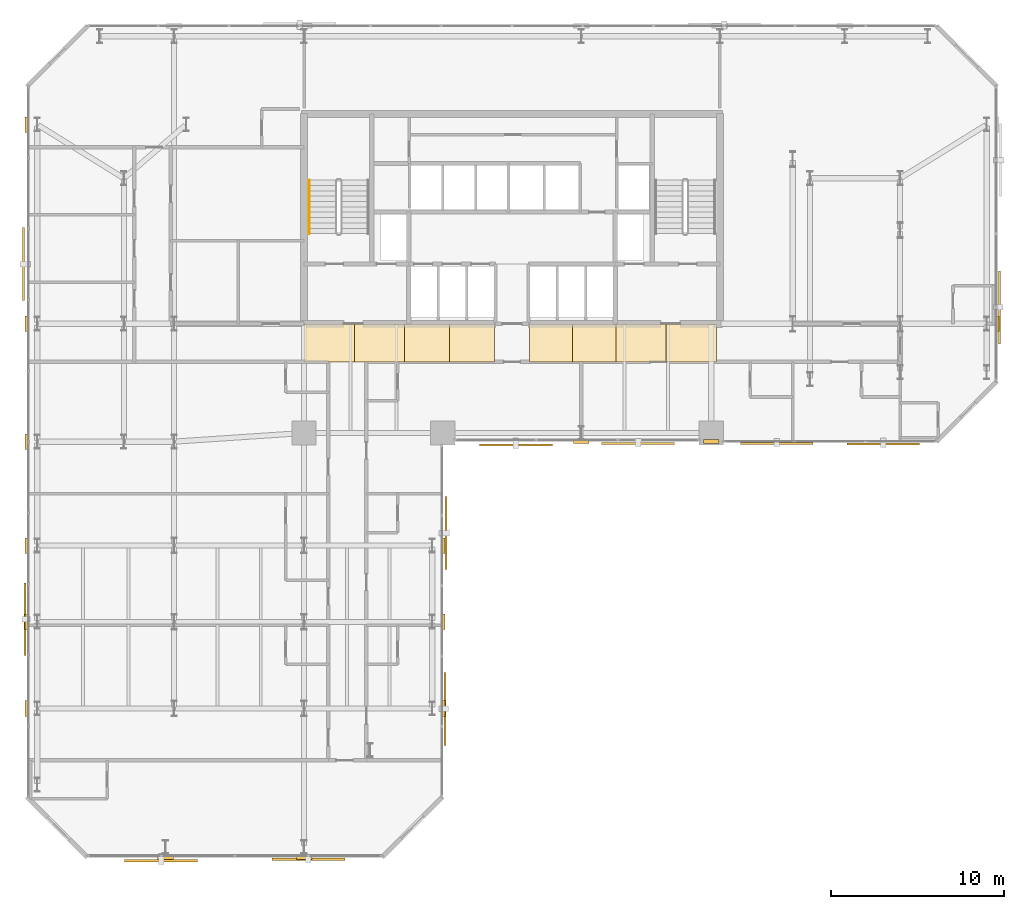
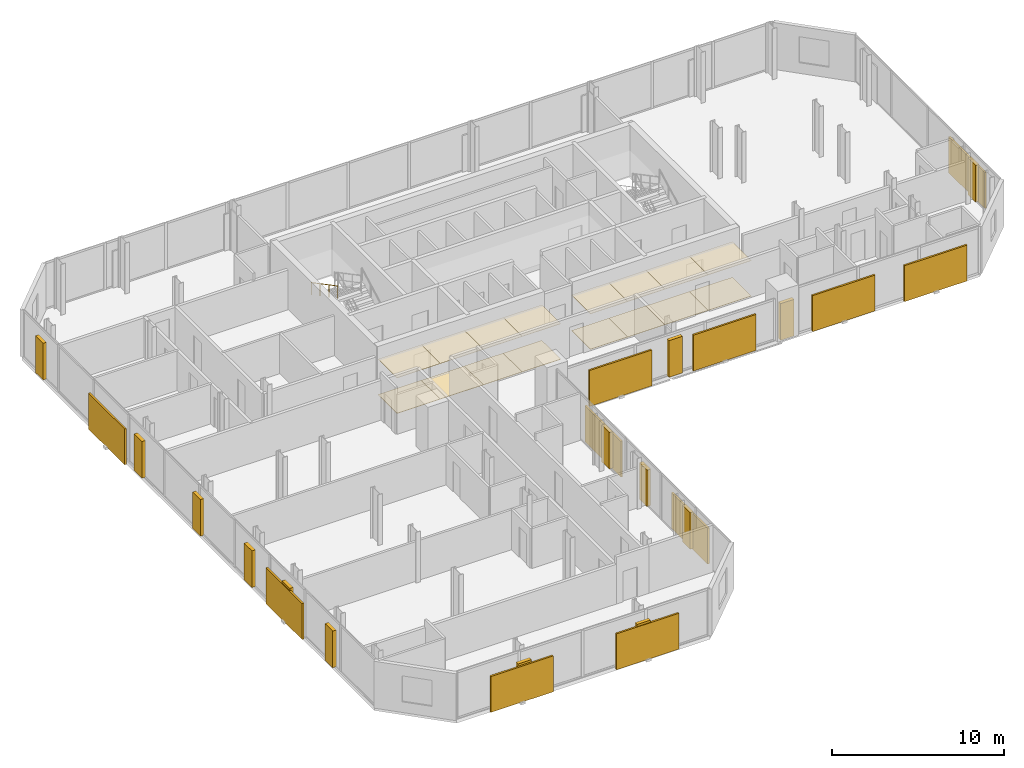
# One storey, part 32 of 33: 30 coverings, 11 shading devices, 1 railing.
"""IFC4 building model written with IfcOpenShell, lengths in metres."""

from ifc_helpers import new_model, si_unit, direction, frame, origin, origin_2d, place, context, subcontext, project, spatial, polyline, rectangle, circle, outline, extrude, material, layer, layer_set, type_object, element, save


model = new_model("IFC4")

# Units and contexts
model_context = context("Model", 3, precision=1e-05, world=origin(), true_north=direction((0.0, 1.0)))
body_context = subcontext(model_context, "Body", "Model", "MODEL_VIEW")
ifc_project = project(units=[si_unit("LENGTHUNIT", "METRE"), si_unit("AREAUNIT", "SQUARE_METRE"), si_unit("VOLUMEUNIT", "CUBIC_METRE"), si_unit("PLANEANGLEUNIT", "RADIAN"), si_unit("MASSUNIT", "GRAM", prefix="KILO")], contexts=[model_context])

# Site, building, storey
site_placement = place(None, origin())
site = spatial("IfcSite", under=ifc_project, at=site_placement, CompositionType="ELEMENT")
building_placement = place(site_placement, origin())
building = spatial("IfcBuilding", under=site, at=building_placement, Name="Catumbela Crestline Tower", CompositionType="ELEMENT")
storey_placement = place(building_placement, frame((0.0, 0.0, 43.8)))
storey = spatial("IfcBuildingStorey", under=building, at=storey_placement, Name="L10", CompositionType="ELEMENT", Elevation=43.8)

# Coverings
ifc_material_1 = material(Name="Mineral-fibre acoustic ceiling")
ifc_layer_1 = layer(ifc_material_1, 0.03, Name="Mineral-fibre acoustic ceiling")
ifc_layer_set_1 = layer_set([ifc_layer_1], Name="Mineral-fibre acoustic ceiling")
covering_type_1 = type_object("IfcCoveringType", Name="CC-AC", PredefinedType="CEILING", material=ifc_layer_set_1)
covering_1_placement = place(storey_placement, frame((0.0, 0.0, 2.52)))
element("IfcCovering", 1, at=covering_1_placement, inside=storey, type_object=covering_type_1, Name="L10 Corridor Acoustic Ceiling Bay 1", PredefinedType="CEILING", context=body_context, shape_type="SweptSolid", body=[
    extrude(outline(polyline([(16.0, 28.6), (18.9, 28.6), (18.9, 30.8), (16.0, 30.8), (16.0, 28.6)])), origin(), (0.0, 0.0, 1.0), 0.03),
])
covering_2_placement = place(storey_placement, frame((0.0, 0.0, 2.52)))
element("IfcCovering", 2, at=covering_2_placement, inside=storey, type_object=covering_type_1, Name="L10 Corridor Acoustic Ceiling Bay 2", PredefinedType="CEILING", context=body_context, shape_type="SweptSolid", body=[
    extrude(outline(polyline([(18.9, 28.6), (21.8, 28.6), (21.8, 30.8), (18.9, 30.8), (18.9, 28.6)])), origin(), (0.0, 0.0, 1.0), 0.03),
])
covering_3_placement = place(storey_placement, frame((0.0, 0.0, 2.52)))
element("IfcCovering", 3, at=covering_3_placement, inside=storey, type_object=covering_type_1, Name="L10 Corridor Acoustic Ceiling Bay 3", PredefinedType="CEILING", context=body_context, shape_type="SweptSolid", body=[
    extrude(outline(polyline([(21.8, 28.6), (24.4, 28.6), (24.4, 30.8), (21.8, 30.8), (21.8, 28.6)])), origin(), (0.0, 0.0, 1.0), 0.03),
])
covering_4_placement = place(storey_placement, frame((0.0, 0.0, 2.52)))
element("IfcCovering", 4, at=covering_4_placement, inside=storey, type_object=covering_type_1, Name="L10 Corridor Acoustic Ceiling Bay 4", PredefinedType="CEILING", context=body_context, shape_type="SweptSolid", body=[
    extrude(outline(polyline([(24.4, 28.6), (27.0, 28.6), (27.0, 30.8), (24.4, 30.8), (24.4, 28.6)])), origin(), (0.0, 0.0, 1.0), 0.03),
])
covering_5_placement = place(storey_placement, frame((0.0, 0.0, 2.52)))
element("IfcCovering", 5, at=covering_5_placement, inside=storey, type_object=covering_type_1, Name="L10 Corridor Acoustic Ceiling Bay 5", PredefinedType="CEILING", context=body_context, shape_type="SweptSolid", body=[
    extrude(outline(polyline([(29.0, 28.6), (31.5, 28.6), (31.5, 30.8), (29.0, 30.8), (29.0, 28.6)])), origin(), (0.0, 0.0, 1.0), 0.03),
])
covering_6_placement = place(storey_placement, frame((0.0, 0.0, 2.52)))
element("IfcCovering", 6, at=covering_6_placement, inside=storey, type_object=covering_type_1, Name="L10 Corridor Acoustic Ceiling Bay 6", PredefinedType="CEILING", context=body_context, shape_type="SweptSolid", body=[
    extrude(outline(polyline([(31.5, 28.6), (34.0, 28.6), (34.0, 30.8), (31.5, 30.8), (31.5, 28.6)])), origin(), (0.0, 0.0, 1.0), 0.03),
])
covering_7_placement = place(storey_placement, frame((0.0, 0.0, 2.52)))
element("IfcCovering", 7, at=covering_7_placement, inside=storey, type_object=covering_type_1, Name="L10 Corridor Acoustic Ceiling Bay 7", PredefinedType="CEILING", context=body_context, shape_type="SweptSolid", body=[
    extrude(outline(polyline([(34.0, 28.6), (36.9, 28.6), (36.9, 30.8), (34.0, 30.8), (34.0, 28.6)])), origin(), (0.0, 0.0, 1.0), 0.03),
])
covering_8_placement = place(storey_placement, frame((0.0, 0.0, 2.52)))
element("IfcCovering", 8, at=covering_8_placement, inside=storey, type_object=covering_type_1, Name="L10 Corridor Acoustic Ceiling Bay 8", PredefinedType="CEILING", context=body_context, shape_type="SweptSolid", body=[
    extrude(outline(polyline([(36.9, 28.6), (39.8, 28.6), (39.8, 30.8), (36.9, 30.8), (36.9, 28.6)])), origin(), (0.0, 0.0, 1.0), 0.03),
])
ifc_material_2 = material(Name="Extruded terracotta ceramic", Category="masonry")
ifc_layer_2 = layer(ifc_material_2, 0.08, Name="Extruded terracotta ceramic")
ifc_layer_set_2 = layer_set([ifc_layer_2], Name="Extruded terracotta ceramic")
covering_type_2 = type_object("IfcCoveringType", Name="CC-TER", PredefinedType="CLADDING", material=ifc_layer_set_2)
for number, where, z_axis, x_axis, name in (
    (9, (8.0, 0.0, 0.0), (0.0, 0.0, 1.0), (1.0, 0.0, 0.0), "L10 Fluted Terracotta Column Cladding 42"),
    (10, (16.0, 0.0, 0.0), (0.0, 0.0, 1.0), (1.0, 0.0, 0.0), "L10 Fluted Terracotta Column Cladding 43"),
    (11, (24.0, 8.6, 0.0), (0.0, 0.0, 1.0), (0.0, 1.0, 0.0), "L10 Fluted Terracotta Column Cladding 44"),
    (12, (24.0, 13.6, 0.0), (0.0, 0.0, 1.0), (0.0, 1.0, 0.0), "L10 Fluted Terracotta Column Cladding 45"),
    (13, (24.0, 18.0, 0.0), (0.0, 0.0, 1.0), (0.0, 1.0, 0.0), "L10 Fluted Terracotta Column Cladding 46"),
    (14, (32.0, 24.0, 0.0), (0.0, 0.0, 1.0), (1.0, 0.0, 0.0), "L10 Fluted Terracotta Column Cladding 47"),
    (15, (39.5, 24.0, 0.0), (0.0, 0.0, 1.0), (1.0, 0.0, 0.0), "L10 Fluted Terracotta Column Cladding 48"),
    (16, (56.0, 30.8, 0.0), (0.0, 0.0, 1.0), (0.0, 1.0, 0.0), "L10 Fluted Terracotta Column Cladding 49"),
    (17, (0.0, 24.0, 0.0), (0.0, 0.0, 1.0), (0.0, -1.0, 0.0), "L10 Fluted Terracotta Column Cladding 56"),
    (18, (0.0, 30.8, 0.0), (0.0, 0.0, 1.0), (0.0, -1.0, 0.0), "L10 Fluted Terracotta Column Cladding 57"),
    (19, (0.0, 42.3, 0.0), (0.0, 0.0, 1.0), (0.0, -1.0, 0.0), "L10 Fluted Terracotta Column Cladding 58"),
    (20, (0.0, 8.6, 0.0), (0.0, 0.0, 1.0), (0.0, -1.0, 0.0), "L10 Fluted Terracotta Column Cladding 59"),
    (21, (0.0, 13.6, 0.0), (0.0, 0.0, 1.0), (0.0, -1.0, 0.0), "L10 Fluted Terracotta Column Cladding 60"),
    (22, (0.0, 18.0, 0.0), (0.0, 0.0, 1.0), (0.0, -1.0, 0.0), "L10 Fluted Terracotta Column Cladding 61"),
):
    element("IfcCovering", number, at=place(storey_placement, frame(where, z_axis=z_axis, x_axis=x_axis)), inside=storey, type_object=covering_type_2, Name=name, PredefinedType="CLADDING", context=body_context, shape_type="SweptSolid", body=[
        extrude(rectangle(XDim=0.9, YDim=0.24, at=origin_2d()), origin(), (0.0, 0.0, 1.0), 2.6),
    ])
ifc_material_3 = material(Name="Angolan grey-ochre granite", Category="masonry")
ifc_layer_3 = layer(ifc_material_3, 0.025, Name="Angolan grey-ochre granite")
ifc_layer_set_3 = layer_set([ifc_layer_3], Name="Angolan grey-ochre granite")
covering_type_3 = type_object("IfcCoveringType", Name="CF-GR", PredefinedType="FLOORING", material=ifc_layer_set_3)
covering_9_placement = place(storey_placement, origin())
element("IfcCovering", 23, at=covering_9_placement, inside=storey, type_object=covering_type_3, Name="L10 Corridor Granite Flooring Bay 1", PredefinedType="FLOORING", context=body_context, shape_type="SweptSolid", body=[
    extrude(outline(polyline([(16.0, 28.6), (18.9, 28.6), (18.9, 30.8), (16.0, 30.8), (16.0, 28.6)])), origin(), (0.0, 0.0, 1.0), 0.025),
])
covering_10_placement = place(storey_placement, origin())
element("IfcCovering", 24, at=covering_10_placement, inside=storey, type_object=covering_type_3, Name="L10 Corridor Granite Flooring Bay 2", PredefinedType="FLOORING", context=body_context, shape_type="SweptSolid", body=[
    extrude(outline(polyline([(18.9, 28.6), (21.8, 28.6), (21.8, 30.8), (18.9, 30.8), (18.9, 28.6)])), origin(), (0.0, 0.0, 1.0), 0.025),
])
covering_11_placement = place(storey_placement, origin())
element("IfcCovering", 25, at=covering_11_placement, inside=storey, type_object=covering_type_3, Name="L10 Corridor Granite Flooring Bay 3", PredefinedType="FLOORING", context=body_context, shape_type="SweptSolid", body=[
    extrude(outline(polyline([(21.8, 28.6), (24.4, 28.6), (24.4, 30.8), (21.8, 30.8), (21.8, 28.6)])), origin(), (0.0, 0.0, 1.0), 0.025),
])
covering_12_placement = place(storey_placement, origin())
element("IfcCovering", 26, at=covering_12_placement, inside=storey, type_object=covering_type_3, Name="L10 Corridor Granite Flooring Bay 4", PredefinedType="FLOORING", context=body_context, shape_type="SweptSolid", body=[
    extrude(outline(polyline([(24.4, 28.6), (27.0, 28.6), (27.0, 30.8), (24.4, 30.8), (24.4, 28.6)])), origin(), (0.0, 0.0, 1.0), 0.025),
])
covering_13_placement = place(storey_placement, origin())
element("IfcCovering", 27, at=covering_13_placement, inside=storey, type_object=covering_type_3, Name="L10 Corridor Granite Flooring Bay 5", PredefinedType="FLOORING", context=body_context, shape_type="SweptSolid", body=[
    extrude(outline(polyline([(29.0, 28.6), (31.5, 28.6), (31.5, 30.8), (29.0, 30.8), (29.0, 28.6)])), origin(), (0.0, 0.0, 1.0), 0.025),
])
covering_14_placement = place(storey_placement, origin())
element("IfcCovering", 28, at=covering_14_placement, inside=storey, type_object=covering_type_3, Name="L10 Corridor Granite Flooring Bay 6", PredefinedType="FLOORING", context=body_context, shape_type="SweptSolid", body=[
    extrude(outline(polyline([(31.5, 28.6), (34.0, 28.6), (34.0, 30.8), (31.5, 30.8), (31.5, 28.6)])), origin(), (0.0, 0.0, 1.0), 0.025),
])
covering_15_placement = place(storey_placement, origin())
element("IfcCovering", 29, at=covering_15_placement, inside=storey, type_object=covering_type_3, Name="L10 Corridor Granite Flooring Bay 7", PredefinedType="FLOORING", context=body_context, shape_type="SweptSolid", body=[
    extrude(outline(polyline([(34.0, 28.6), (36.9, 28.6), (36.9, 30.8), (34.0, 30.8), (34.0, 28.6)])), origin(), (0.0, 0.0, 1.0), 0.025),
])
covering_16_placement = place(storey_placement, origin())
element("IfcCovering", 30, at=covering_16_placement, inside=storey, type_object=covering_type_3, Name="L10 Corridor Granite Flooring Bay 8", PredefinedType="FLOORING", context=body_context, shape_type="SweptSolid", body=[
    extrude(outline(polyline([(36.9, 28.6), (39.8, 28.6), (39.8, 30.8), (36.9, 30.8), (36.9, 28.6)])), origin(), (0.0, 0.0, 1.0), 0.025),
])

# Railing
ifc_material_4 = material(Name="Stainless steel EN 1.4401", Category="steel")
railing_type = type_object("IfcRailingType", Name="RH-0900", PredefinedType="HANDRAIL", material=ifc_material_4)
railing_placement = place(storey_placement, frame((16.3, 39.1, 1.9636)))
element("IfcRailing", 31, at=railing_placement, inside=storey, type_object=railing_type, Name="L10 ST-01 stair handrail 2", PredefinedType="HANDRAIL", context=body_context, shape_type="SweptSolid", body=[
    extrude(circle(Radius=0.024, at=origin_2d()), frame((0.0, 0.0, 0.876), z_axis=(0.0, -0.884350731049, 0.466823076222), x_axis=(1.0, 0.0, 0.0)), (0.0, 0.0, 1.0), 3.5054),
    extrude(circle(Radius=0.021, at=origin_2d()), origin(), (0.0, 0.0, 1.0), 0.852),
    extrude(circle(Radius=0.021, at=origin_2d()), frame((0.0, -1.0333, 0.5455)), (0.0, 0.0, 1.0), 0.852),
    extrude(circle(Radius=0.021, at=origin_2d()), frame((0.0, -2.0667, 1.0909)), (0.0, 0.0, 1.0), 0.852),
    extrude(circle(Radius=0.021, at=origin_2d()), frame((0.0, -3.1, 1.6364)), (0.0, 0.0, 1.0), 0.852),
])

# Shading devices
shading_device_type_1 = type_object("IfcShadingDeviceType", Name="ST-180", PredefinedType="USERDEFINED", material=ifc_material_2)
for number, where, z_axis, x_axis, name in (
    (32, (16.25, -0.099, -0.1), (0.0, 0.0, 1.0), (1.0, 0.0, 0.0), "L10 Perforated Terracotta Solar Screen 72 (180 mm)"),
    (33, (35.275, 23.901, -0.1), (0.0, 0.0, 1.0), (1.0, 0.0, 0.0), "L10 Perforated Terracotta Solar Screen 76 (180 mm)"),
    (34, (43.275, 23.901, -0.1), (0.0, 0.0, 1.0), (1.0, 0.0, 0.0), "L10 Perforated Terracotta Solar Screen 77 (180 mm)"),
    (35, (-0.099, 13.75, -0.1), (0.0, 0.0, 1.0), (0.0, -1.0, 0.0), "L10 Perforated Terracotta Solar Screen 84 (180 mm)"),
):
    element("IfcShadingDevice", number, at=place(storey_placement, frame(where, z_axis=z_axis, x_axis=x_axis)), inside=storey, type_object=shading_device_type_1, Name=name, ObjectType="SCREEN", PredefinedType="USERDEFINED", context=body_context, shape_type="SweptSolid", body=[
        extrude(rectangle(XDim=4.2, YDim=0.12, at=origin_2d()), origin(), (0.0, 0.0, 1.0), 2.55),
    ])
shading_device_type_2 = type_object("IfcShadingDeviceType", Name="ST-260", PredefinedType="USERDEFINED", material=ifc_material_2)
for number, where, z_axis, x_axis, name in (
    (36, (24.143, 8.575, -0.1), (0.0, 0.0, 1.0), (0.0, 1.0, 0.0), "L10 Perforated Terracotta Solar Screen 73 (260 mm)"),
    (37, (49.425, 23.857, -0.1), (0.0, 0.0, 1.0), (1.0, 0.0, 0.0), "L10 Perforated Terracotta Solar Screen 78 (260 mm)"),
    (38, (56.143, 31.75, -0.1), (0.0, 0.0, 1.0), (0.0, 1.0, 0.0), "L10 Perforated Terracotta Solar Screen 79 (260 mm)"),
):
    element("IfcShadingDevice", number, at=place(storey_placement, frame(where, z_axis=z_axis, x_axis=x_axis)), inside=storey, type_object=shading_device_type_2, Name=name, ObjectType="SCREEN", PredefinedType="USERDEFINED", context=body_context, shape_type="SweptSolid", body=[
        extrude(rectangle(XDim=4.2, YDim=0.12, at=origin_2d()), origin(), (0.0, 0.0, 1.0), 2.55),
    ])
shading_device_type_3 = type_object("IfcShadingDeviceType", Name="ST-340", PredefinedType="USERDEFINED", material=ifc_material_2)
for number, where, z_axis, x_axis, name in (
    (39, (7.75, -0.187, -0.1), (0.0, 0.0, 1.0), (1.0, 0.0, 0.0), "L10 Perforated Terracotta Solar Screen 71 (340 mm)"),
    (40, (24.187, 18.725, -0.1), (0.0, 0.0, 1.0), (0.0, 1.0, 0.0), "L10 Perforated Terracotta Solar Screen 74 (340 mm)"),
    (41, (28.225, 23.813, -0.1), (0.0, 0.0, 1.0), (1.0, 0.0, 0.0), "L10 Perforated Terracotta Solar Screen 75 (340 mm)"),
    (42, (-0.187, 34.25, -0.1), (0.0, 0.0, 1.0), (0.0, -1.0, 0.0), "L10 Perforated Terracotta Solar Screen 83 (340 mm)"),
):
    element("IfcShadingDevice", number, at=place(storey_placement, frame(where, z_axis=z_axis, x_axis=x_axis)), inside=storey, type_object=shading_device_type_3, Name=name, ObjectType="SCREEN", PredefinedType="USERDEFINED", context=body_context, shape_type="SweptSolid", body=[
        extrude(rectangle(XDim=4.2, YDim=0.12, at=origin_2d()), origin(), (0.0, 0.0, 1.0), 2.55),
    ])

save(model, "model.ifc")
